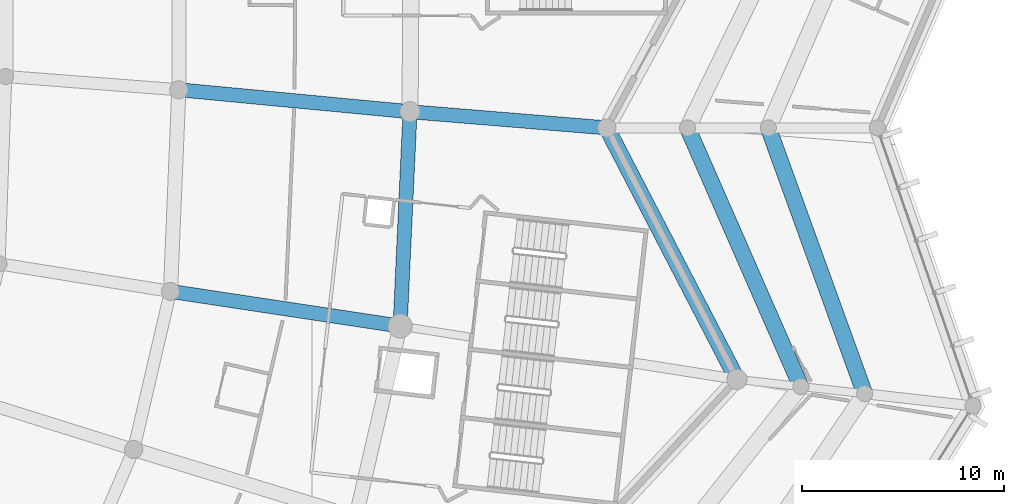
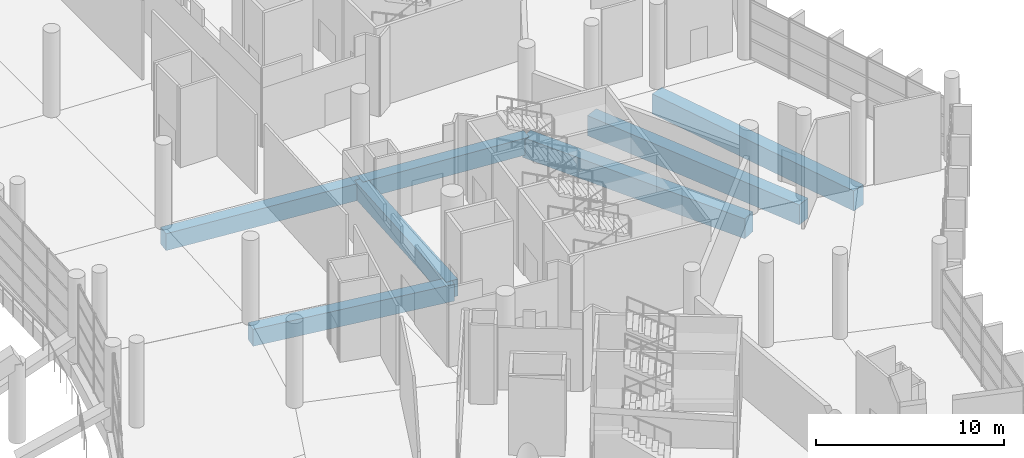
# One storey, part 58 of 271: 7 beams.
"""IFC4 building model written with IfcOpenShell, lengths in metres."""

import ifcopenshell
import ifcopenshell.guid

model = None  # the IFC model being written
_history = None  # IfcOwnerHistory: only IFC2X3 demands one
_inside = {}  # id of a spatial element -> (the spatial element, [elements in it])
_under = {}  # id of a project, library or spatial element -> (it, [spatial elements below it])
_declared = {}  # id of a project -> (the project, [libraries it declares])
_typed = {}  # id of a type object -> (the type object, [elements of that type])
_made_of = {}  # id of a material, layer set ... -> (it, [elements and type objects made of it])


def new_model(schema):
    """Start an empty IFC model of exactly this schema.

    Asked for "IFC4X3", IfcOpenShell would pick the latest addendum, in which some entities
    have other attributes; the version numbers below select the first issue.
    IFC2X3 requires an IfcOwnerHistory on every rooted entity: one is made here for all.
    """
    global model, _history
    if schema == "IFC4X3":
        model = ifcopenshell.file(schema_version=(4, 3, 0, 0))
    else:
        model = ifcopenshell.file(schema=schema)
    _inside.clear()
    _under.clear()
    _declared.clear()
    _typed.clear()
    _made_of.clear()
    _history = None
    if model.schema == "IFC2X3":
        org = make("IfcOrganization", Name="unknown")
        user = make(
            "IfcPersonAndOrganization",
            ThePerson=make("IfcPerson", FamilyName="unknown"),
            TheOrganization=org,
        )
        app = make(
            "IfcApplication",
            ApplicationDeveloper=org,
            Version="unknown",
            ApplicationFullName="unknown",
            ApplicationIdentifier="unknown",
        )
        _history = make(
            "IfcOwnerHistory",
            OwningUser=user,
            OwningApplication=app,
            ChangeAction="ADDED",
            CreationDate=0,
        )
    return model


def make(cls, **values):
    """One entity of the class cls with the attributes given. An attribute that is None is left unset."""
    return model.create_entity(
        cls, **{name: value for name, value in values.items() if value is not None}
    )


def rooted(cls, **values):
    """An entity with a GlobalId (a new one), such as an element, a storey or a relation."""
    return make(cls, GlobalId=ifcopenshell.guid.new(), OwnerHistory=_history, **values)


def si_unit(unit_type, name, prefix=None):
    """IfcSIUnit, for example si_unit("LENGTHUNIT", "METRE", prefix="MILLI")."""
    return make("IfcSIUnit", UnitType=unit_type, Prefix=prefix, Name=name)


def assignment(units):
    """IfcUnitAssignment: the units of a project."""
    return None if units is None else make("IfcUnitAssignment", Units=units)


def point(xyz):
    """IfcCartesianPoint."""
    return None if xyz is None else make("IfcCartesianPoint", Coordinates=xyz)


def direction(xyz):
    """IfcDirection."""
    return None if xyz is None else make("IfcDirection", DirectionRatios=xyz)


def frame(location, z_axis=None, x_axis=None):
    """IfcAxis2Placement3D, a coordinate frame: its origin and axes. An axis left out is left unset."""
    return make(
        "IfcAxis2Placement3D",
        Location=point(location),
        Axis=direction(z_axis),
        RefDirection=direction(x_axis),
    )


def frame_2d(location, x_axis=None):
    """IfcAxis2Placement2D, a coordinate frame in the plane: its origin and x axis."""
    return make(
        "IfcAxis2Placement2D", Location=point(location), RefDirection=direction(x_axis)
    )


def origin():
    """The frame at (0, 0, 0) with its axes left unset."""
    return frame((0.0, 0.0, 0.0))


def origin_2d():
    """The frame at (0, 0) in the plane with its x axis left unset."""
    return frame_2d((0.0, 0.0))


def place(relative_to, where):
    """IfcLocalPlacement: puts the frame where relative to a parent placement (None: the world)."""
    return make(
        "IfcLocalPlacement", PlacementRelTo=relative_to, RelativePlacement=where
    )


def context(
    kind, dimensions, precision=None, world=None, true_north=None, identifier=None
):
    """IfcGeometricRepresentationContext, for example the 3D "Model" context."""
    return make(
        "IfcGeometricRepresentationContext",
        ContextIdentifier=identifier,
        ContextType=kind,
        CoordinateSpaceDimension=dimensions,
        Precision=precision,
        WorldCoordinateSystem=world,
        TrueNorth=true_north,
    )


def subcontext(parent, identifier, kind, view, scale=None):
    """IfcGeometricRepresentationSubContext, for example "Body" below "Model"."""
    return make(
        "IfcGeometricRepresentationSubContext",
        ContextIdentifier=identifier,
        ContextType=kind,
        ParentContext=parent,
        TargetScale=scale,
        TargetView=view,
    )


def project(units=None, contexts=None):
    """IfcProject with its units and contexts."""
    return rooted(
        "IfcProject",
        Name="project",
        RepresentationContexts=contexts,
        UnitsInContext=assignment(units),
    )


def spatial(cls, under=None, at=None, **own):
    """A site, building, storey or space (cls), placed at a placement, below another one or the project."""
    s = rooted(cls, ObjectPlacement=at, **own)
    if under is not None:
        _under.setdefault(under.id(), (under, []))[1].append(s)
    return s


def profile(cls, at=None, kind="AREA", **sizes):
    """A parametric profile (cls). Its sizes go by their IFC names, for example OverallWidth=200.0."""
    return make(cls, ProfileType=kind, Position=at, **sizes)


def rectangle(**sizes):
    """IfcRectangleProfileDef."""
    return profile("IfcRectangleProfileDef", **sizes)


def extrude(swept, where, along, depth):
    """IfcExtrudedAreaSolid: the profile swept, set in the frame where, extruded along a direction by depth."""
    return make(
        "IfcExtrudedAreaSolid",
        SweptArea=swept,
        Position=where,
        ExtrudedDirection=direction(along),
        Depth=depth,
    )


def shape(context_of_items, identifier, shape_type, items):
    """IfcShapeRepresentation: the items that make up one representation, for example the "Body"."""
    return make(
        "IfcShapeRepresentation",
        ContextOfItems=context_of_items,
        RepresentationIdentifier=identifier,
        RepresentationType=shape_type,
        Items=items,
    )


def material(Name=None, Category=None):
    """IfcMaterial."""
    return make("IfcMaterial", Name=Name, Category=Category)


def material_profile(
    of_material, cross_section, Name=None, Category=None, Priority=None
):
    """IfcMaterialProfile: a cross section and its material."""
    return make(
        "IfcMaterialProfile",
        Name=Name,
        Material=of_material,
        Profile=cross_section,
        Priority=Priority,
        Category=Category,
    )


def profile_set(profiles, Name=None, composite=None):
    """IfcMaterialProfileSet."""
    return make(
        "IfcMaterialProfileSet",
        Name=Name,
        MaterialProfiles=profiles,
        CompositeProfile=composite,
    )


def made_of(thing, what):
    """Note that an element or type object is made of a material, layer set ...; save() writes the relation."""
    if what is not None:
        _made_of.setdefault(what.id(), (what, []))[1].append(thing)
    return thing


def type_object(cls, material=None, **own):
    """A type object (cls), such as IfcWallType, which elements share."""
    return made_of(rooted(cls, **own), material)


def element(
    cls,
    number,
    at=None,
    inside=None,
    cuts=None,
    type_object=None,
    material=None,
    context=None,
    identifier="Body",
    shape_type=None,
    held_by="IfcProductDefinitionShape",
    body=None,
    shapes=None,
    **own,
):
    """One element of the class cls, such as IfcWall. Its Tag is "e" and its number.

    at: its placement. inside: the storey or other place that contains it. cuts: it is an
    opening in that element (IfcRelVoidsElement). A single representation is given by context,
    identifier, shape_type and body (its items); several are given by shapes. held_by: the class
    of the entity that holds the representations. save() writes the other relations.
    """
    e = rooted(cls, Tag="e%d" % number, ObjectPlacement=at, **own)
    if body is not None:
        shapes = [shape(context, identifier, shape_type, body)]
    if shapes is not None:
        e.Representation = make(held_by, Representations=shapes)
    if inside is not None:
        _inside.setdefault(inside.id(), (inside, []))[1].append(e)
    if cuts is not None:
        rooted(
            "IfcRelVoidsElement", RelatingBuildingElement=cuts, RelatedOpeningElement=e
        )
    if type_object is not None:
        _typed.setdefault(type_object.id(), (type_object, []))[1].append(e)
    return made_of(e, material)


def aggregate(whole, parts):
    """IfcRelAggregates: a whole, such as a stair, and the parts it consists of."""
    return rooted("IfcRelAggregates", RelatingObject=whole, RelatedObjects=parts)


def save(model, path):
    """Write the relations noted so far, then the file.

    IfcRelAggregates (storeys below a building ...), IfcRelContainedInSpatialStructure (elements
    in a storey), IfcRelDefinesByType, IfcRelAssociatesMaterial and IfcRelDeclares: one each for
    every whole, place, type object, material and project.
    """
    for whole, parts in _under.values():
        aggregate(whole, parts)
    for where, things in _inside.values():
        rooted(
            "IfcRelContainedInSpatialStructure",
            RelatedElements=things,
            RelatingStructure=where,
        )
    for kind, things in _typed.values():
        rooted("IfcRelDefinesByType", RelatedObjects=things, RelatingType=kind)
    for what, things in _made_of.values():
        rooted("IfcRelAssociatesMaterial", RelatedObjects=things, RelatingMaterial=what)
    for by, libraries in _declared.values():
        rooted("IfcRelDeclares", RelatingContext=by, RelatedDefinitions=libraries)
    model.write(path)


model = new_model("IFC4")

# Units and contexts
model_context = context("Model", 3, precision=1e-05, world=origin(), true_north=direction((0.0, 1.0)))
body_context = subcontext(model_context, "Body", "Model", "MODEL_VIEW")
ifc_project = project(units=[si_unit("LENGTHUNIT", "METRE"), si_unit("AREAUNIT", "SQUARE_METRE"), si_unit("VOLUMEUNIT", "CUBIC_METRE"), si_unit("PLANEANGLEUNIT", "RADIAN"), si_unit("MASSUNIT", "GRAM", prefix="KILO")], contexts=[model_context])

# Site, building, storey
site_placement = place(None, origin())
site = spatial("IfcSite", under=ifc_project, at=site_placement, CompositionType="ELEMENT")
building_placement = place(site_placement, origin())
building = spatial("IfcBuilding", under=site, at=building_placement, Name="Meseta Stadium", CompositionType="ELEMENT")
storey_placement = place(building_placement, frame((0.0, 0.0, 6.5)))
storey = spatial("IfcBuildingStorey", under=building, at=storey_placement, Name="L01", CompositionType="ELEMENT", Elevation=6.5)

# Beams
ifc_material_1 = material(Name="Concrete C40/50", Category="concrete")
ifc_material_profile_1 = material_profile(ifc_material_1, rectangle(XDim=0.699951171875, YDim=1.10009765625, at=origin_2d()), Name="RC 700x1100")
ifc_profile_set_1 = profile_set([ifc_material_profile_1], Name="Concrete C40/50")
beam_type_1 = type_object("IfcBeamType", Name="RC beam 700x1100", PredefinedType="BEAM", material=ifc_profile_set_1)
beam_1_placement = place(storey_placement, frame((84.36328125, -53.5654296875, -0.89990234375), z_axis=(0.046171416705, 0.998933531462, 0.0), x_axis=(-0.998933531462, 0.046171416705, 0.0)))
element("IfcBeam", 1, at=beam_1_placement, inside=storey, type_object=beam_type_1, Name="L01 ring beam frame 0 line P", PredefinedType="BEAM", context=body_context, shape_type="SweptSolid", body=[
    extrude(rectangle(XDim=0.699951171875, YDim=1.10009765625, at=origin_2d()), origin(), (0.0, 0.0, 1.0), 10.628173828125),
])
beam_2_placement = place(storey_placement, frame((72.9921875, -51.84716796875, -0.89990234375), z_axis=(0.988775073655, -0.149411692039, 0.0), x_axis=(0.149411692039, 0.988775073655, 0.0)))
element("IfcBeam", 2, at=beam_2_placement, inside=storey, type_object=beam_type_1, Name="L01 radial beam frame 0 line E to P", PredefinedType="BEAM", context=body_context, shape_type="SweptSolid", body=[
    extrude(rectangle(XDim=0.699951171875, YDim=1.10009765625, at=origin_2d()), origin(), (0.0, 0.0, 1.0), 11.500244140625),
])
beam_3_placement = place(storey_placement, frame((73.40478515625, -41.8623046875, -0.89990234375), z_axis=(0.995530039578, -0.094445435561, 0.0), x_axis=(0.094445435561, 0.995530039578, 0.0)))
element("IfcBeam", 3, at=beam_3_placement, inside=storey, type_object=beam_type_1, Name="L01 radial beam frame 1 line E to P", PredefinedType="BEAM", context=body_context, shape_type="SweptSolid", body=[
    extrude(rectangle(XDim=0.699951171875, YDim=1.10009765625, at=origin_2d()), origin(), (0.0, 0.0, 1.0), 11.500732421875),
])
beam_4_placement = place(storey_placement, frame((84.85400390625, -42.948486328125, -0.89990234375), z_axis=(0.996635391437, -0.081962775303, 0.0), x_axis=(0.081962775303, 0.996635391437, 0.0)))
element("IfcBeam", 4, at=beam_4_placement, inside=storey, type_object=beam_type_1, Name="L01 radial beam frame 1 line P to R", PredefinedType="BEAM", context=body_context, shape_type="SweptSolid", body=[
    extrude(rectangle(XDim=0.699951171875, YDim=1.10009765625, at=origin_2d()), origin(), (0.0, 0.0, 1.0), 9.779052734375),
])
ifc_material_2 = material(Name="Concrete C40/50", Category="concrete")
ifc_material_profile_2 = material_profile(ifc_material_2, rectangle(XDim=0.800048828125, YDim=1.300048828125, at=origin_2d()), Name="RC 800x1300")
ifc_profile_set_2 = profile_set([ifc_material_profile_2], Name="Concrete C40/50")
beam_type_2 = type_object("IfcBeamType", Name="RC beam 800x1300", PredefinedType="BEAM", material=ifc_profile_set_2)
beam_5_placement = place(storey_placement, frame((101.0517578125, -56.202880859375, -1.0), z_axis=(-0.460014301189, 0.887911506121, 0.0), x_axis=(-0.887911506121, -0.460014301189, 0.0)))
element("IfcBeam", 5, at=beam_5_placement, inside=storey, type_object=beam_type_2, Name="L01 ring beam frame 0 line R", PredefinedType="BEAM", context=body_context, shape_type="SweptSolid", body=[
    extrude(rectangle(XDim=0.800048828125, YDim=1.300048828125, at=origin_2d()), origin(), (0.0, 0.0, 1.0), 14.02490234375),
])
beam_6_placement = place(storey_placement, frame((104.2119140625, -56.558837890625, -1.0), z_axis=(-0.401295934377, 0.915948455456, 0.0), x_axis=(-0.915948455456, -0.401295934377, 0.0)))
element("IfcBeam", 6, at=beam_6_placement, inside=storey, type_object=beam_type_2, Name="L01 ring beam frame 0 line M", PredefinedType="BEAM", context=body_context, shape_type="SweptSolid", body=[
    extrude(rectangle(XDim=0.800048828125, YDim=1.300048828125, at=origin_2d()), origin(), (0.0, 0.0, 1.0), 13.984130859375),
])
beam_7_placement = place(storey_placement, frame((107.372314453125, -56.9150390625, -1.0), z_axis=(-0.340792389295, 0.940138578827, 0.0), x_axis=(-0.940138578827, -0.340792389295, 0.0)))
element("IfcBeam", 7, at=beam_7_placement, inside=storey, type_object=beam_type_2, Name="L01 ring beam frame 0 line Q", PredefinedType="BEAM", context=body_context, shape_type="SweptSolid", body=[
    extrude(rectangle(XDim=0.800048828125, YDim=1.300048828125, at=origin_2d()), origin(), (0.0, 0.0, 1.0), 14.00341796875),
])

save(model, "model.ifc")
